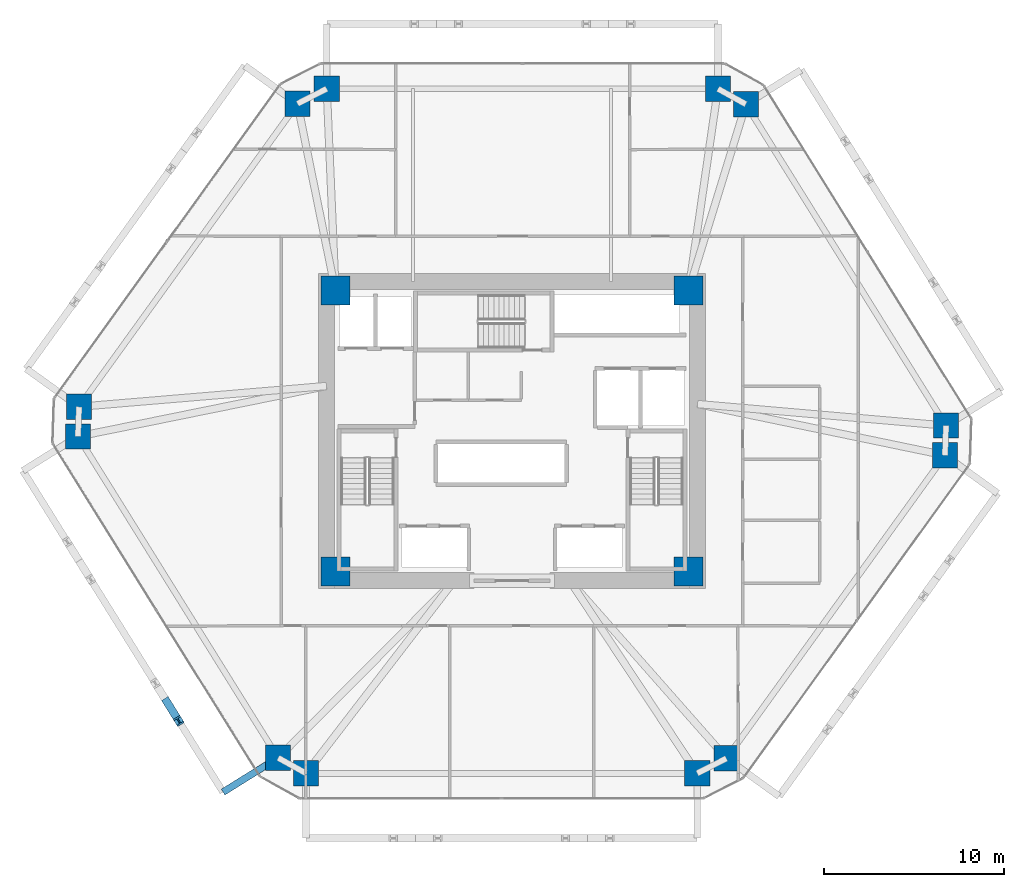
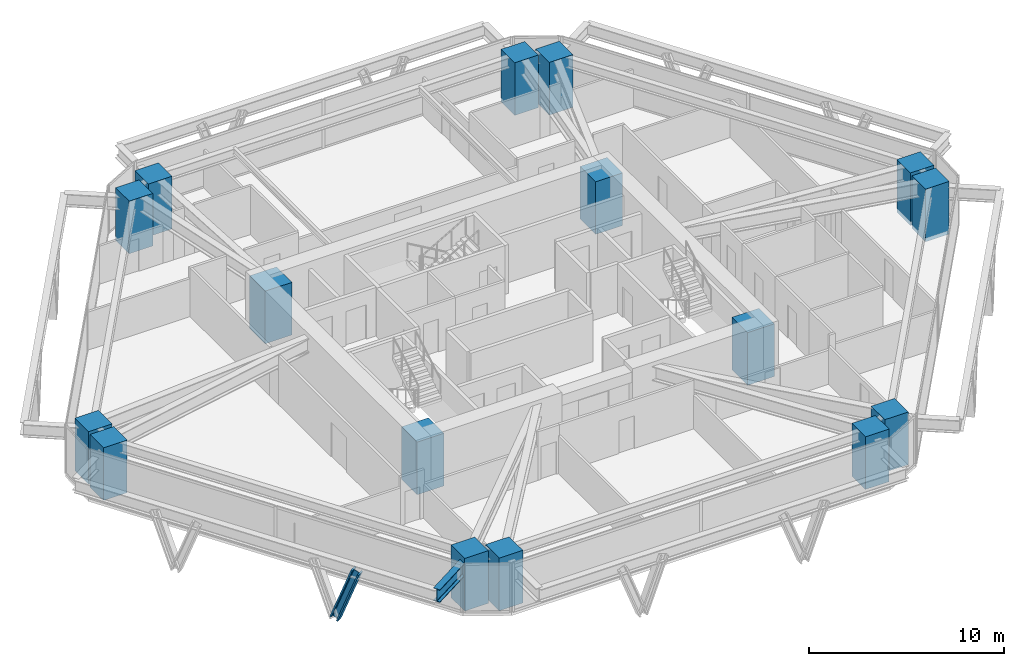
# One storey, part 1 of 15: 16 columns, 1 beam, 1 member.
"""IFC4 building model written with IfcOpenShell, lengths in metres."""

from ifc_helpers import new_model, si_unit, direction, frame, origin, origin_2d, place, context, subcontext, project, spatial, rectangle, i_section, extrude, source, transform, mapped, material, material_profile, profile_set, type_object, type_shapes, element, save


model = new_model("IFC4")

# Units and contexts
model_context = context("Model", 3, precision=1e-05, world=origin(), true_north=direction((0.0, 1.0)))
body_context = subcontext(model_context, "Body", "Model", "MODEL_VIEW")
ifc_project = project(units=[si_unit("LENGTHUNIT", "METRE"), si_unit("AREAUNIT", "SQUARE_METRE"), si_unit("VOLUMEUNIT", "CUBIC_METRE"), si_unit("PLANEANGLEUNIT", "RADIAN"), si_unit("MASSUNIT", "GRAM", prefix="KILO")], contexts=[model_context])

# Site, building, storey
site_placement = place(None, origin())
site = spatial("IfcSite", under=ifc_project, at=site_placement, CompositionType="ELEMENT")
building_placement = place(site_placement, origin())
building = spatial("IfcBuilding", under=site, at=building_placement, Name="Durnholm Broadcast Tower", CompositionType="ELEMENT")
storey_placement = place(building_placement, frame((0.0, 0.0, 62.10009765625)))
storey = spatial("IfcBuildingStorey", under=building, at=storey_placement, Name="L15", CompositionType="ELEMENT", Elevation=62.10009765625)

# Columns
ifc_material_1 = material(Name="Concrete C70/85", Category="concrete")
ifc_material_profile_1 = material_profile(ifc_material_1, rectangle(XDim=1.60009765625, YDim=1.60009765625, at=origin_2d()), Name="RC1600X1600")
ifc_profile_set_1 = profile_set([ifc_material_profile_1], Name="Concrete C70/85")
column_type_1 = type_object("IfcColumnType", Name="COL-CC-1600", PredefinedType="COLUMN", material=ifc_profile_set_1)
shared_shape_1 = source(origin(), body_context, "Body", "SweptSolid", [
    extrude(rectangle(XDim=1.60009765625, YDim=1.60009765625, at=origin_2d()), origin(), (0.0, 0.0, 1.0), 3.2998046875),
])
type_shapes(column_type_1, [shared_shape_1])
for number, where, z_axis, x_axis, name in (
    (1, (-9.800048828125, -7.800048828125, -0.239990234375), (0.0, 0.0, 1.0), (1.0, 0.0, 0.0), "L15 core corner column 1"),
    (2, (9.800048828125, -7.800048828125, -0.239990234375), (0.0, 0.0, 1.0), (1.0, 0.0, 0.0), "L15 core corner column 2"),
    (3, (9.800048828125, 7.800048828125, -0.239990234375), (0.0, 0.0, 1.0), (1.0, 0.0, 0.0), "L15 core corner column 3"),
    (4, (-9.800048828125, 7.800048828125, -0.239990234375), (0.0, 0.0, 1.0), (1.0, 0.0, 0.0), "L15 core corner column 4"),
):
    element("IfcColumn", number, at=place(storey_placement, frame(where, z_axis=z_axis, x_axis=x_axis)), inside=storey, type_object=column_type_1, Name=name, PredefinedType="COLUMN", context=body_context, shape_type="MappedRepresentation", body=[
        mapped(shared_shape_1, transform((0.0, 0.0, 0.0), x_axis=(1.0, 0.0, 0.0), y_axis=(0.0, 1.0, 0.0), z_axis=(0.0, 0.0, 1.0), scale=1.0)),
    ])
ifc_material_profile_2 = material_profile(ifc_material_1, rectangle(XDim=1.39990234375, YDim=1.39990234375, at=origin_2d()), Name="RC1400X1400")
ifc_profile_set_2 = profile_set([ifc_material_profile_2], Name="Concrete C70/85")
column_type_2 = type_object("IfcColumnType", Name="COL-CC-1400", PredefinedType="COLUMN", material=ifc_profile_set_2)
shared_shape_2 = source(origin(), body_context, "Body", "SweptSolid", [
    extrude(rectangle(XDim=1.39990234375, YDim=1.39990234375, at=origin_2d()), origin(), (0.0, 0.0, 1.0), 3.2998046875),
])
type_shapes(column_type_2, [shared_shape_2])
for number, where, z_axis, x_axis, name in (
    (5, (-12.982666015625, -18.138427734375, -0.239990234375), (0.0, 0.0, 1.0), (1.0, 0.0, 0.0), "L15 perimeter hexagonal tube column 01"),
    (6, (-24.0908203125, -0.2998046875, -0.239990234375), (0.0, 0.0, 1.0), (1.0, 0.0, 0.0), "L15 perimeter hexagonal tube column 02"),
    (7, (-24.034912109375, 1.347412109375, -0.239990234375), (0.0, 0.0, 1.0), (1.0, 0.0, 0.0), "L15 perimeter hexagonal tube column 03"),
    (8, (-11.907470703125, 18.16845703125, -0.239990234375), (0.0, 0.0, 1.0), (1.0, 0.0, 0.0), "L15 perimeter hexagonal tube column 04"),
    (9, (-10.28271484375, 19.0, -0.239990234375), (0.0, 0.0, 1.0), (1.0, 0.0, 0.0), "L15 perimeter hexagonal tube column 05"),
    (10, (11.43115234375, 19.0, -0.239990234375), (0.0, 0.0, 1.0), (1.0, 0.0, 0.0), "L15 perimeter hexagonal tube column 06"),
    (11, (12.982666015625, 18.138427734375, -0.239990234375), (0.0, 0.0, 1.0), (1.0, 0.0, 0.0), "L15 perimeter hexagonal tube column 07"),
    (12, (24.0908203125, 0.2998046875, -0.239990234375), (0.0, 0.0, 1.0), (1.0, 0.0, 0.0), "L15 perimeter hexagonal tube column 08"),
    (13, (24.034912109375, -1.347412109375, -0.239990234375), (0.0, 0.0, 1.0), (1.0, 0.0, 0.0), "L15 perimeter hexagonal tube column 09"),
    (14, (11.907470703125, -18.16845703125, -0.239990234375), (0.0, 0.0, 1.0), (1.0, 0.0, 0.0), "L15 perimeter hexagonal tube column 10"),
    (15, (10.28271484375, -19.0, -0.239990234375), (0.0, 0.0, 1.0), (1.0, 0.0, 0.0), "L15 perimeter hexagonal tube column 11"),
    (16, (-11.43115234375, -19.0, -0.239990234375), (0.0, 0.0, 1.0), (1.0, 0.0, 0.0), "L15 perimeter hexagonal tube column 12"),
):
    element("IfcColumn", number, at=place(storey_placement, frame(where, z_axis=z_axis, x_axis=x_axis)), inside=storey, type_object=column_type_2, Name=name, PredefinedType="COLUMN", context=body_context, shape_type="MappedRepresentation", body=[
        mapped(shared_shape_2, transform((0.0, 0.0, 0.0), x_axis=(1.0, 0.0, 0.0), y_axis=(0.0, 1.0, 0.0), z_axis=(0.0, 0.0, 1.0), scale=1.0)),
    ])

# Beam
ifc_material_2 = material(Name="Steel ASTM A992 Grade 50", Category="steel")
ifc_material_profile_3 = material_profile(ifc_material_2, i_section(OverallWidth=0.385009765625, OverallDepth=0.802978515625, WebThickness=0.023681640625, FlangeThickness=0.0419921875, FilletRadius=0.032958984375, at=origin_2d()), Name="W30X261")
ifc_profile_set_3 = profile_set([ifc_material_profile_3], Name="Steel ASTM A992 Grade 50")
beam_type = type_object("IfcBeamType", Name="BM-EXO-TIE", PredefinedType="USERDEFINED", material=ifc_profile_set_3)
shared_shape_3 = source(origin(), body_context, "Body", "SweptSolid", [
    extrude(i_section(OverallWidth=0.385009765625, OverallDepth=0.802978515625, WebThickness=0.023681640625, FlangeThickness=0.0419921875, FilletRadius=0.032958984375, at=origin_2d()), origin(), (0.0, 0.0, 1.0), 3.4560546875),
])
type_shapes(beam_type, [shared_shape_3])
beam_placement = place(storey_placement, frame((-13.10498046875, -18.214599609375, 2.30859375), z_axis=(-0.848854443891, -0.528626648105, 0.0), x_axis=(0.528626648105, -0.848854443891, 0.0)))
element("IfcBeam", 17, at=beam_placement, inside=storey, type_object=beam_type, Name="L15 exoskeleton stand-off tie bracket F6.2", ObjectType="GIRDER", PredefinedType="USERDEFINED", context=body_context, shape_type="MappedRepresentation", body=[
    mapped(shared_shape_3, transform((0.0, 0.0, 0.0), x_axis=(1.0, 0.0, 0.0), y_axis=(0.0, 1.0, 0.0), z_axis=(0.0, 0.0, 1.0), scale=1.0)),
])

# Member
ifc_material_3 = material(Name="Steel ASTM A913 Grade 65", Category="steel")
ifc_material_profile_4 = material_profile(ifc_material_3, i_section(OverallWidth=0.43212890625, OverallDepth=0.497802734375, WebThickness=0.0556640625, FlangeThickness=0.0888671875, FilletRadius=0.030517578125, at=origin_2d()), Name="W14X500")
ifc_profile_set_4 = profile_set([ifc_material_profile_4], Name="Steel ASTM A913 Grade 65")
member_type = type_object("IfcMemberType", Name="STL-DG-W14X500", PredefinedType="BRACE", material=ifc_profile_set_4)
shared_shape_4 = source(origin(), body_context, "Body", "SweptSolid", [
    extrude(i_section(OverallWidth=0.43212890625, OverallDepth=0.497802734375, WebThickness=0.0556640625, FlangeThickness=0.0888671875, FilletRadius=0.030517578125, at=origin_2d()), origin(), (0.0, 0.0, 1.0), 3.523193359375),
])
type_shapes(member_type, [shared_shape_4])
member_placement = place(storey_placement, frame((-19.14892578125, -15.04638671875, -0.991455078125), z_axis=(0.185090383068, -0.297281072018, 0.936677913861), x_axis=(0.848908635391, 0.528539618911, 0.0)))
element("IfcMember", 18, at=member_placement, inside=storey, type_object=member_type, Name="L15 stand-off diagrid brace F6.D2.2", PredefinedType="BRACE", context=body_context, shape_type="MappedRepresentation", body=[
    mapped(shared_shape_4, transform((0.0, 0.0, 0.0), x_axis=(1.0, 0.0, 0.0), y_axis=(0.0, 1.0, 0.0), z_axis=(0.0, 0.0, 1.0), scale=1.0)),
])

save(model, "model.ifc")
